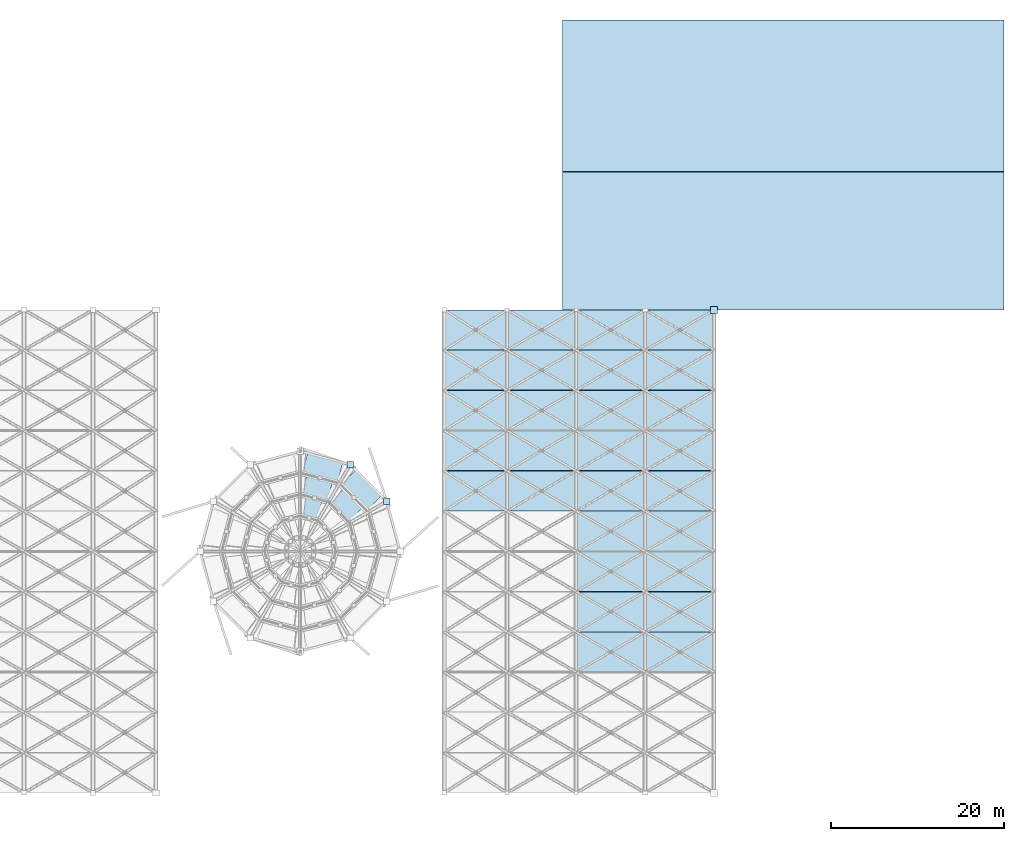
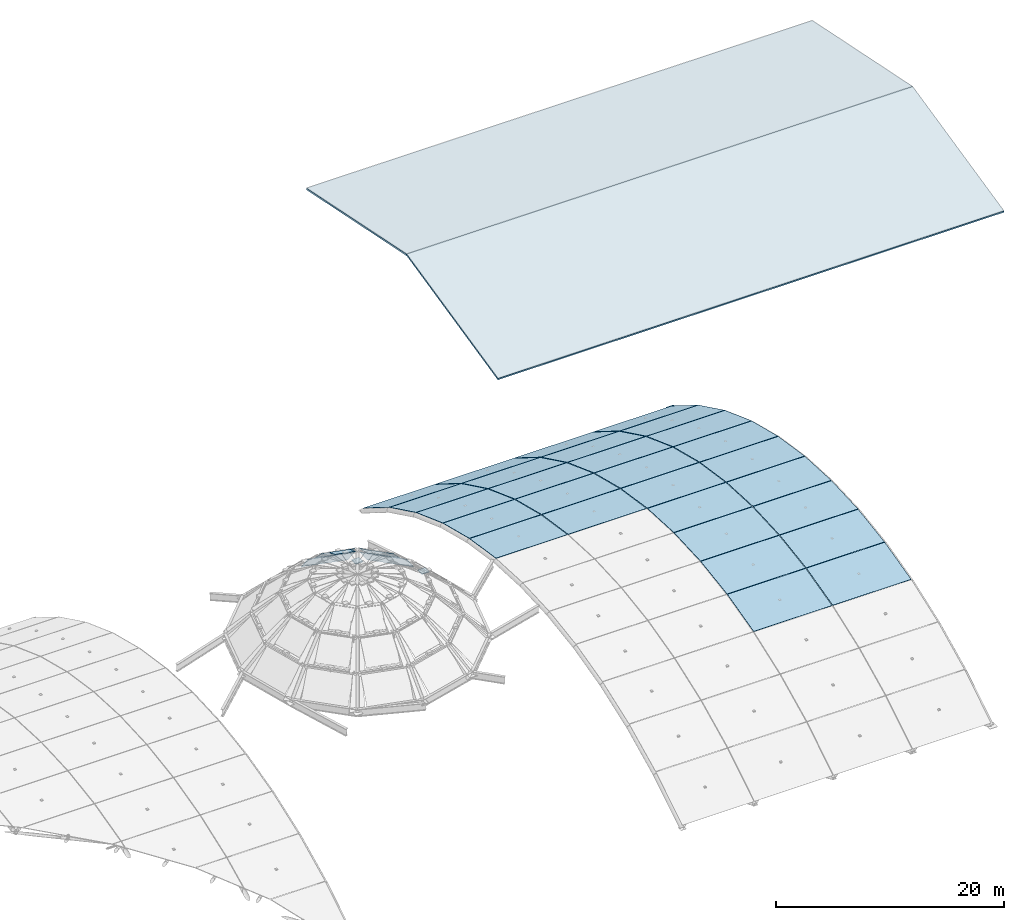
# One storey, part 14 of 21: 36 plates, 2 slabs.
"""IFC4 building model written with IfcOpenShell, lengths in metres."""

from ifc_helpers import new_model, si_unit, direction, frame, origin, origin_2d, place, context, subcontext, project, spatial, polyline, rectangle, outline, extrude, material, layer, layer_set, type_object, element, save


model = new_model("IFC4")

# Units and contexts
model_context = context("Model", 3, precision=1e-05, world=origin(), true_north=direction((0.0, 1.0)))
body_context = subcontext(model_context, "Body", "Model", "MODEL_VIEW")
ifc_project = project(units=[si_unit("LENGTHUNIT", "METRE"), si_unit("AREAUNIT", "SQUARE_METRE"), si_unit("VOLUMEUNIT", "CUBIC_METRE"), si_unit("PLANEANGLEUNIT", "RADIAN"), si_unit("MASSUNIT", "GRAM", prefix="KILO")], contexts=[model_context])

# Site, building, storey
site_placement = place(None, origin())
site = spatial("IfcSite", under=ifc_project, at=site_placement, CompositionType="ELEMENT")
building_placement = place(site_placement, origin())
building = spatial("IfcBuilding", under=site, at=building_placement, Name="Solmirada Galleria", CompositionType="ELEMENT")
storey_placement = place(building_placement, frame((0.0, 0.0, 37.5)))
storey = spatial("IfcBuildingStorey", under=building, at=storey_placement, Name="RF", CompositionType="ELEMENT", Elevation=37.5)

# Plates
ifc_material_1 = material(Name="Steel S355 / ASTM A572 Grade 50", Category="steel")
ifc_layer_1 = layer(ifc_material_1, 0.044921875)
ifc_layer_set_1 = layer_set([ifc_layer_1], Name="Steel S355 / ASTM A572 Grade 50")
plate_type_1 = type_object("IfcPlateType", Name="PLT-DOME-SHOE", PredefinedType="SHEET", material=ifc_layer_set_1)
for number, where, z_axis, x_axis, name in (
    (1, (106.0458984375, 65.800048828125, -0.0224609375), (0.0, 0.0, 1.0), (1.0, 0.0, 0.0), "Atrium dome ring shoe node plate 2"),
    (2, (101.800048828125, 70.0458984375, -0.0224609375), (0.0, 0.0, 1.0), (1.0, 0.0, 0.0), "Atrium dome ring shoe node plate 3"),
):
    element("IfcPlate", number, at=place(storey_placement, frame(where, z_axis=z_axis, x_axis=x_axis)), inside=storey, type_object=plate_type_1, Name=name, PredefinedType="SHEET", context=body_context, shape_type="SweptSolid", body=[
        extrude(rectangle(XDim=0.75, YDim=0.75, at=origin_2d()), origin(), (0.0, 0.0, 1.0), 0.044921875),
    ])
ifc_material_2 = material(Name="Laminated solar-control skylight glass", Category="glass")
ifc_layer_2 = layer(ifc_material_2, 0.028076171875)
ifc_layer_set_2 = layer_set([ifc_layer_2], Name="Laminated solar-control skylight glass")
plate_type_2 = type_object("IfcPlateType", Name="PLT-DPANEL-R1", PredefinedType="SHEET", material=ifc_layer_set_2)
plate_1_placement = place(storey_placement, frame((105.37158203125, 66.3720703125, 0.3544921875), z_axis=(0.507967085106, 0.507967085106, 0.695657157584), x_axis=(-0.707106781187, 0.707106781187, 0.0)))
element("IfcPlate", 3, at=plate_1_placement, inside=storey, type_object=plate_type_2, Name="Atrium dome glass skylight panel 2.1", PredefinedType="SHEET", context=body_context, shape_type="SweptSolid", body=[
    extrude(outline(polyline([(0.0, 0.0), (4.241950153153283, 0.0), (4.242122786644784, 3.255099848147518), (-0.0001726334915006511, 3.255099848147518), (0.0, 0.0)])), origin(), (0.0, 0.0, -1.0), 0.028076171875),
])
plate_2_placement = place(storey_placement, frame((100.93017578125, 70.2041015625, 0.3544921875), z_axis=(0.185918524218, 0.693897378358, 0.695658487091), x_axis=(-0.965929556127, 0.258805124756, 0.0)))
element("IfcPlate", 4, at=plate_2_placement, inside=storey, type_object=plate_type_2, Name="Atrium dome glass skylight panel 3.1", PredefinedType="SHEET", context=body_context, shape_type="SweptSolid", body=[
    extrude(outline(polyline([(0.0, 0.0), (4.242189530289588, -1.1102230246251565e-16), (4.242326676669658, 3.2551056819344444), (0.000137146380070563, 3.2551056819344444), (0.0, 0.0)])), origin(), (0.0, 0.0, -1.0), 0.028076171875),
])
ifc_layer_3 = layer(ifc_material_2, 0.032958984375)
ifc_layer_set_3 = layer_set([ifc_layer_3], Name="Laminated solar-control skylight glass")
plate_type_3 = type_object("IfcPlateType", Name="PLT-DPANEL-R2", PredefinedType="SHEET", material=ifc_layer_set_3)
plate_3_placement = place(storey_placement, frame((103.257568359375, 65.079345703125, 2.830810546875), z_axis=(0.465719212417, 0.465719212417, 0.752470086031), x_axis=(-0.707106781187, 0.707106781187, 0.0)))
element("IfcPlate", 5, at=plate_3_placement, inside=storey, type_object=plate_type_3, Name="Atrium dome glass skylight panel 2.2", PredefinedType="SHEET", context=body_context, shape_type="SweptSolid", body=[
    extrude(outline(polyline([(0.0, 0.0), (3.0804720223370983, 0.0), (3.0804720223370983, 3.009563015920233), (0.0, 3.0095630159202336), (0.0, 0.0)])), origin(), (0.0, 0.0, -1.0), 0.032958984375),
])
plate_4_placement = place(storey_placement, frame((99.74560546875, 68.027587890625, 2.830810546875), z_axis=(0.170442686833, 0.636223658737, 0.752441855939), x_axis=(-0.965939825885, 0.258766792197, 5.082056e-06)))
element("IfcPlate", 6, at=plate_4_placement, inside=storey, type_object=plate_type_3, Name="Atrium dome glass skylight panel 3.2", PredefinedType="SHEET", context=body_context, shape_type="SweptSolid", body=[
    extrude(outline(polyline([(0.0, 0.0), (3.0805049253922, 0.0), (3.0805061832167757, 3.0093918851645194), (0.00023708297737938232, 3.009439420255352), (0.0, 0.0)])), origin(), (0.0, 0.0, -1.0), 0.032958984375),
])
ifc_layer_4 = layer(ifc_material_2, 0.0380859375)
ifc_layer_set_4 = layer_set([ifc_layer_4], Name="Laminated solar-control skylight glass")
plate_type_4 = type_object("IfcPlateType", Name="PLT-DPANEL-R3", PredefinedType="SHEET", material=ifc_layer_set_4)
plate_5_placement = place(storey_placement, frame((98.560791015625, 65.85107421875, 4.91845703125), z_axis=(0.13064600971, 0.487665865111, 0.863199643276), x_axis=(-0.965922515503, 0.25883139858, -3.3961514e-05)))
element("IfcPlate", 7, at=plate_5_placement, inside=storey, type_object=plate_type_4, Name="Atrium dome glass skylight panel 3.3", PredefinedType="SHEET", context=body_context, shape_type="SweptSolid", body=[
    extrude(outline(polyline([(0.0, 0.0), (1.9184118548290667, -1.1102230246251565e-16), (1.9183792345238908, 2.6235409483535044), (-0.00020524997239335696, 2.623282838180977), (0.0, 0.0)])), origin(), (0.0, 0.0, -1.0), 0.0380859375),
])
ifc_layer_5 = layer(ifc_material_1, 0.044921875)
ifc_layer_set_5 = layer_set([ifc_layer_5], Name="Steel S355 / ASTM A572 Grade 50")
plate_type_5 = type_object("IfcPlateType", Name="PLT-NODE-05", PredefinedType="SHEET", material=ifc_layer_set_5)
plate_6_placement = place(storey_placement, frame((144.0, 88.0, -9.382568359375), z_axis=(0.0, 0.0, 1.0), x_axis=(1.0, 0.0, 0.0)))
element("IfcPlate", 8, at=plate_6_placement, inside=storey, type_object=plate_type_5, Name="Barrel vault arch shoe node plate E04-2", PredefinedType="SHEET", context=body_context, shape_type="SweptSolid", body=[
    extrude(rectangle(XDim=0.800048828125, YDim=0.800048828125, at=origin_2d()), origin(), (0.0, 0.0, 1.0), 0.044921875),
])
ifc_layer_6 = layer(ifc_material_2, 0.031982421875)
ifc_layer_set_6 = layer_set([ifc_layer_6], Name="Laminated solar-control skylight glass")
plate_type_6 = type_object("IfcPlateType", Name="PLT-VPANEL-00-BAY", PredefinedType="SHEET", material=ifc_layer_set_6)
plate_7_placement = place(storey_placement, frame((112.729248046875, 83.35205078125, -6.163330078125), z_axis=(0.0, 0.530236062005, 0.847850056643), x_axis=(1.0, 0.0, 0.0)))
element("IfcPlate", 9, at=plate_7_placement, inside=storey, type_object=plate_type_6, Name="Barrel gridshell diamond glazing E00-11", PredefinedType="SHEET", context=body_context, shape_type="SweptSolid", body=[
    extrude(outline(polyline([(0.0, 0.0), (7.241455078125, 0.0), (7.241455078125, 5.459869176577636), (0.0, 5.459869176577636), (0.0, 0.0)])), origin(), (0.0, 0.0, -1.0), 0.031982421875),
])
for number, where, z_axis, x_axis, name in (
    (10, (120.031982421875, 83.35205078125, -6.163330078125), (0.0, 0.530236062005, 0.847850056643), (1.0, 0.0, 0.0), "Barrel gridshell diamond glazing E01-11"),
    (11, (128.031982421875, 83.35205078125, -6.163330078125), (0.0, 0.530236062005, 0.847850056643), (1.0, 0.0, 0.0), "Barrel gridshell diamond glazing E02-11"),
    (12, (136.031982421875, 83.35205078125, -6.163330078125), (0.0, 0.530236062005, 0.847850056643), (1.0, 0.0, 0.0), "Barrel gridshell diamond glazing E03-11"),
):
    element("IfcPlate", number, at=place(storey_placement, frame(where, z_axis=z_axis, x_axis=x_axis)), inside=storey, type_object=plate_type_6, Name=name, PredefinedType="SHEET", context=body_context, shape_type="SweptSolid", body=[
        extrude(outline(polyline([(0.0, 0.0), (7.93603515625, 0.0), (7.93603515625, 5.459869176577636), (0.0, 5.459869176577636), (0.0, 0.0)])), origin(), (0.0, 0.0, -1.0), 0.031982421875),
    ])
ifc_layer_7 = layer(ifc_material_2, 0.033935546875)
ifc_layer_set_7 = layer_set([ifc_layer_7], Name="Laminated solar-control skylight glass")
plate_type_7 = type_object("IfcPlateType", Name="PLT-VPANEL-01-BAY", PredefinedType="SHEET", material=ifc_layer_set_7)
plate_8_placement = place(storey_placement, frame((112.729248046875, 78.685302734375, -3.8916015625), z_axis=(0.0, 0.437283282733, 0.899323818567), x_axis=(1.0, 0.0, 0.0)))
element("IfcPlate", 13, at=plate_8_placement, inside=storey, type_object=plate_type_7, Name="Barrel gridshell diamond glazing E00-10", PredefinedType="SHEET", context=body_context, shape_type="SweptSolid", body=[
    extrude(outline(polyline([(0.0, 0.0), (7.241455078125, 0.0), (7.241455078125, 5.147639188102807), (0.0, 5.147639188102807), (0.0, 0.0)])), origin(), (0.0, 0.0, -1.0), 0.033935546875),
])
for number, where, z_axis, x_axis, name in (
    (14, (120.031982421875, 78.685302734375, -3.8916015625), (0.0, 0.437283282733, 0.899323818567), (1.0, 0.0, 0.0), "Barrel gridshell diamond glazing E01-10"),
    (15, (128.031982421875, 78.685302734375, -3.8916015625), (0.0, 0.437283282733, 0.899323818567), (1.0, 0.0, 0.0), "Barrel gridshell diamond glazing E02-10"),
    (16, (136.031982421875, 78.685302734375, -3.8916015625), (0.0, 0.437283282733, 0.899323818567), (1.0, 0.0, 0.0), "Barrel gridshell diamond glazing E03-10"),
):
    element("IfcPlate", number, at=place(storey_placement, frame(where, z_axis=z_axis, x_axis=x_axis)), inside=storey, type_object=plate_type_7, Name=name, PredefinedType="SHEET", context=body_context, shape_type="SweptSolid", body=[
        extrude(outline(polyline([(0.0, 0.0), (7.93603515625, 0.0), (7.93603515625, 5.147639188102807), (0.0, 5.147639188102807), (0.0, 0.0)])), origin(), (0.0, 0.0, -1.0), 0.033935546875),
    ])
ifc_layer_8 = layer(ifc_material_2, 0.035888671875)
ifc_layer_set_8 = layer_set([ifc_layer_8], Name="Laminated solar-control skylight glass")
plate_type_8 = type_object("IfcPlateType", Name="PLT-VPANEL-02-BAY", PredefinedType="SHEET", material=ifc_layer_set_8)
plate_9_placement = place(storey_placement, frame((112.729248046875, 74.018798828125, -2.188720703125), z_axis=(0.0, 0.342359685666, 0.939568968001), x_axis=(1.0, 0.0, 0.0)))
element("IfcPlate", 17, at=plate_9_placement, inside=storey, type_object=plate_type_8, Name="Barrel gridshell diamond glazing E00-09", PredefinedType="SHEET", context=body_context, shape_type="SweptSolid", body=[
    extrude(outline(polyline([(0.0, 0.0), (7.241455078125, 0.0), (7.241455078125, 4.926887273079958), (0.0, 4.926887273079958), (0.0, 0.0)])), origin(), (0.0, 0.0, -1.0), 0.035888671875),
])
for number, where, z_axis, x_axis, name in (
    (18, (120.031982421875, 74.018798828125, -2.188720703125), (0.0, 0.342359685666, 0.939568968001), (1.0, 0.0, 0.0), "Barrel gridshell diamond glazing E01-09"),
    (19, (128.031982421875, 74.018798828125, -2.188720703125), (0.0, 0.342359685666, 0.939568968001), (1.0, 0.0, 0.0), "Barrel gridshell diamond glazing E02-09"),
    (20, (136.031982421875, 74.018798828125, -2.188720703125), (0.0, 0.342359685666, 0.939568968001), (1.0, 0.0, 0.0), "Barrel gridshell diamond glazing E03-09"),
):
    element("IfcPlate", number, at=place(storey_placement, frame(where, z_axis=z_axis, x_axis=x_axis)), inside=storey, type_object=plate_type_8, Name=name, PredefinedType="SHEET", context=body_context, shape_type="SweptSolid", body=[
        extrude(outline(polyline([(0.0, 0.0), (7.93603515625, 0.0), (7.93603515625, 4.926887273079958), (0.0, 4.926887273079958), (0.0, 0.0)])), origin(), (0.0, 0.0, -1.0), 0.035888671875),
    ])
ifc_layer_9 = layer(ifc_material_2, 0.0380859375)
ifc_layer_set_9 = layer_set([ifc_layer_9], Name="Laminated solar-control skylight glass")
plate_type_9 = type_object("IfcPlateType", Name="PLT-VPANEL-03-BAY", PredefinedType="SHEET", material=ifc_layer_set_9)
plate_10_placement = place(storey_placement, frame((112.729248046875, 69.35205078125, -1.003662109375), z_axis=(0.0, 0.245745993637, 0.969334259485), x_axis=(1.0, 0.0, 0.0)))
element("IfcPlate", 21, at=plate_10_placement, inside=storey, type_object=plate_type_9, Name="Barrel gridshell diamond glazing E00-08", PredefinedType="SHEET", context=body_context, shape_type="SweptSolid", body=[
    extrude(outline(polyline([(0.0, 0.0), (7.241455078125, 0.0), (7.241455078125, 4.775597628297959), (0.0, 4.775597628297959), (0.0, 0.0)])), origin(), (0.0, 0.0, -1.0), 0.0380859375),
])
for number, where, z_axis, x_axis, name in (
    (22, (120.031982421875, 69.35205078125, -1.003662109375), (0.0, 0.245745993637, 0.969334259485), (1.0, 0.0, 0.0), "Barrel gridshell diamond glazing E01-08"),
    (23, (128.031982421875, 46.018798828125, -2.17724609375), (0.0, -0.245745993637, 0.969334259485), (1.0, 0.0, 0.0), "Barrel gridshell diamond glazing E02-03"),
    (24, (128.031982421875, 69.35205078125, -1.003662109375), (0.0, 0.245745993637, 0.969334259485), (1.0, 0.0, 0.0), "Barrel gridshell diamond glazing E02-08"),
    (25, (136.031982421875, 46.018798828125, -2.17724609375), (0.0, -0.245745993637, 0.969334259485), (1.0, 0.0, 0.0), "Barrel gridshell diamond glazing E03-03"),
    (26, (136.031982421875, 69.35205078125, -1.003662109375), (0.0, 0.245745993637, 0.969334259485), (1.0, 0.0, 0.0), "Barrel gridshell diamond glazing E03-08"),
):
    element("IfcPlate", number, at=place(storey_placement, frame(where, z_axis=z_axis, x_axis=x_axis)), inside=storey, type_object=plate_type_9, Name=name, PredefinedType="SHEET", context=body_context, shape_type="SweptSolid", body=[
        extrude(outline(polyline([(0.0, 0.0), (7.93603515625, 0.0), (7.93603515625, 4.775597628297959), (0.0, 4.775597628297959), (0.0, 0.0)])), origin(), (0.0, 0.0, -1.0), 0.0380859375),
    ])
ifc_layer_10 = layer(ifc_material_2, 0.0400390625)
ifc_layer_set_10 = layer_set([ifc_layer_10], Name="Laminated solar-control skylight glass")
plate_type_10 = type_object("IfcPlateType", Name="PLT-VPANEL-04-BAY", PredefinedType="SHEET", material=ifc_layer_set_10)
plate_11_placement = place(storey_placement, frame((112.729248046875, 64.685302734375, -0.3037109375), z_axis=(0.0, 0.147917062763, 0.988999768728), x_axis=(1.0, 0.0, 0.0)))
element("IfcPlate", 27, at=plate_11_placement, inside=storey, type_object=plate_type_10, Name="Barrel gridshell diamond glazing E00-07", PredefinedType="SHEET", context=body_context, shape_type="SweptSolid", body=[
    extrude(outline(polyline([(0.0, 0.0), (7.241455078125, 0.0), (7.241455078125, 4.680885352688401), (0.0, 4.680885352688401), (0.0, 0.0)])), origin(), (0.0, 0.0, -1.0), 0.0400390625),
])
for number, where, z_axis, x_axis, name in (
    (28, (120.031982421875, 64.685302734375, -0.3037109375), (0.0, 0.147917062763, 0.988999768728), (1.0, 0.0, 0.0), "Barrel gridshell diamond glazing E01-07"),
    (29, (128.031982421875, 50.685302734375, -0.99609375), (0.0, -0.147917062763, 0.988999768728), (1.0, 0.0, 0.0), "Barrel gridshell diamond glazing E02-04"),
    (30, (128.031982421875, 64.685302734375, -0.3037109375), (0.0, 0.147917062763, 0.988999768728), (1.0, 0.0, 0.0), "Barrel gridshell diamond glazing E02-07"),
    (31, (136.031982421875, 50.685302734375, -0.99609375), (0.0, -0.147917062763, 0.988999768728), (1.0, 0.0, 0.0), "Barrel gridshell diamond glazing E03-04"),
    (32, (136.031982421875, 64.685302734375, -0.3037109375), (0.0, 0.147917062763, 0.988999768728), (1.0, 0.0, 0.0), "Barrel gridshell diamond glazing E03-07"),
):
    element("IfcPlate", number, at=place(storey_placement, frame(where, z_axis=z_axis, x_axis=x_axis)), inside=storey, type_object=plate_type_10, Name=name, PredefinedType="SHEET", context=body_context, shape_type="SweptSolid", body=[
        extrude(outline(polyline([(0.0, 0.0), (7.93603515625, 0.0), (7.93603515625, 4.680885352688401), (0.0, 4.680885352688401), (0.0, 0.0)])), origin(), (0.0, 0.0, -1.0), 0.0400390625),
    ])
ifc_layer_11 = layer(ifc_material_2, 0.0419921875)
ifc_layer_set_11 = layer_set([ifc_layer_11], Name="Laminated solar-control skylight glass")
plate_type_11 = type_object("IfcPlateType", Name="PLT-VPANEL-05-BAY", PredefinedType="SHEET", material=ifc_layer_set_11)
for number, where, z_axis, x_axis, name in (
    (33, (128.031982421875, 55.35205078125, -0.2998046875), (0.0, -0.049409542181, 0.998778602665), (1.0, 0.0, 0.0), "Barrel gridshell diamond glazing E02-05"),
    (34, (128.031982421875, 60.018798828125, -0.07080078125), (0.0, 0.049409542181, 0.998778602665), (1.0, 0.0, 0.0), "Barrel gridshell diamond glazing E02-06"),
    (35, (136.031982421875, 55.35205078125, -0.2998046875), (0.0, -0.049409542181, 0.998778602665), (1.0, 0.0, 0.0), "Barrel gridshell diamond glazing E03-05"),
    (36, (136.031982421875, 60.018798828125, -0.07080078125), (0.0, 0.049409542181, 0.998778602665), (1.0, 0.0, 0.0), "Barrel gridshell diamond glazing E03-06"),
):
    element("IfcPlate", number, at=place(storey_placement, frame(where, z_axis=z_axis, x_axis=x_axis)), inside=storey, type_object=plate_type_11, Name=name, PredefinedType="SHEET", context=body_context, shape_type="SweptSolid", body=[
        extrude(outline(polyline([(0.0, 0.0), (7.93603515625, 0.0), (7.93603515625, 4.634811336840082), (0.0, 4.634811336840082), (0.0, 0.0)])), origin(), (0.0, 0.0, -1.0), 0.0419921875),
    ])

# Slabs
ifc_material_3 = material(Name="Concrete C35/45", Category="concrete")
ifc_layer_12 = layer(ifc_material_3, 0.179931640625)
ifc_layer_set_12 = layer_set([ifc_layer_12], Name="Concrete C35/45")
slab_type = type_object("IfcSlabType", Name="SLB-ROOF-180", PredefinedType="ROOF", material=ifc_layer_set_12)
slab_1_placement = place(storey_placement, frame((126.39990234375, 88.0, 0.0), z_axis=(0.0, -0.219517862832, 0.975608480846), x_axis=(1.0, 0.0, 0.0)))
element("IfcSlab", 37, at=slab_1_placement, inside=storey, type_object=slab_type, Name="Northeast Wing south pediment sloped roof", PredefinedType="ROOF", context=body_context, shape_type="SweptSolid", body=[
    extrude(outline(polyline([(0.0, 0.0), (51.2001953125, 0.0), (51.2001953125, 16.400021437014548), (0.0, 16.400021437014548), (0.0, 0.0)])), origin(), (0.0, 0.0, -1.0), 0.179931640625),
])
slab_2_placement = place(storey_placement, frame((126.39990234375, 104.0, 3.60009765625), z_axis=(0.0, 0.200400386635, 0.97971408331), x_axis=(1.0, 0.0, 0.0)))
element("IfcSlab", 38, at=slab_2_placement, inside=storey, type_object=slab_type, Name="Northeast Wing north pediment sloped roof", PredefinedType="ROOF", context=body_context, shape_type="SweptSolid", body=[
    extrude(outline(polyline([(0.0, 0.0), (51.2001953125, 0.0), (51.2001953125, 17.964524503700993), (0.0, 17.964524503700993), (0.0, 0.0)])), origin(), (0.0, 0.0, -1.0), 0.179931640625),
])

save(model, "model.ifc")
